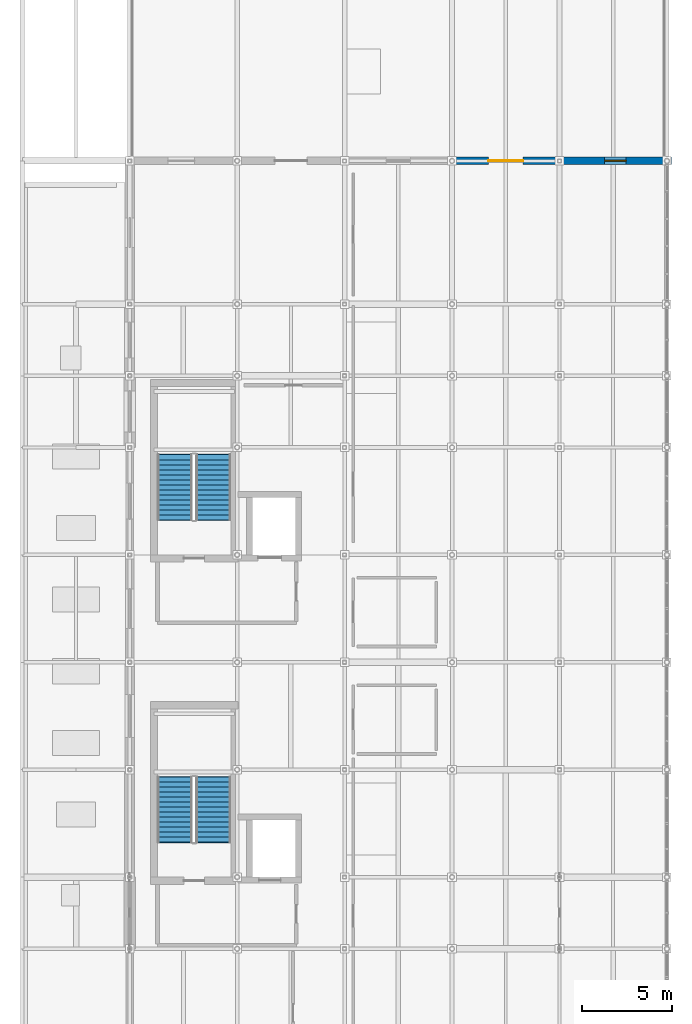
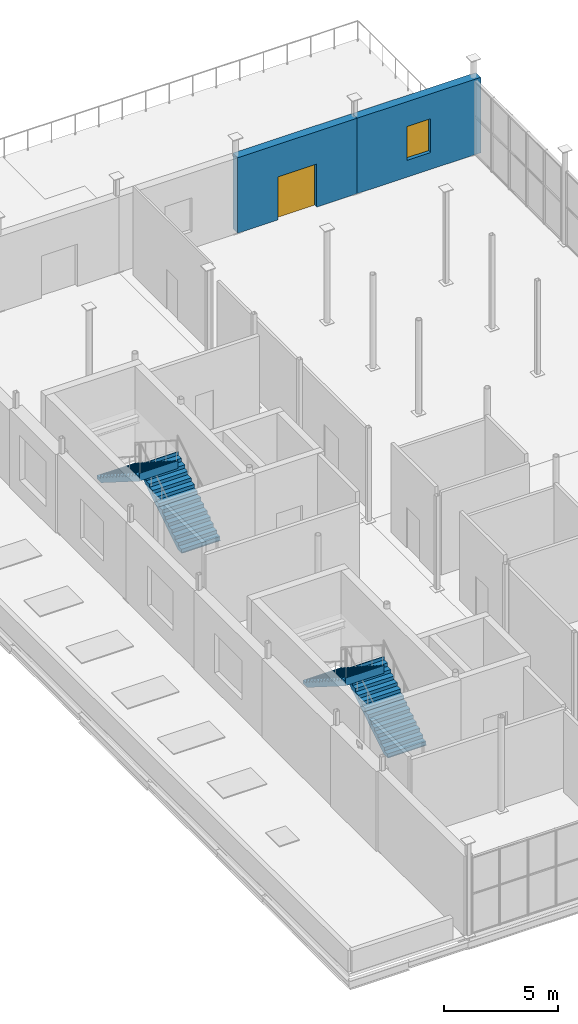
# One storey, part 25 of 27: 4 stair flights, 2 walls, 1 door, 1 window, 2 openings, 2 elements without a shape of their own.
"""IFC4 building model written with IfcOpenShell, lengths in metres."""

from ifc_helpers import new_model, si_unit, direction, frame, frame_2d, origin, place, context, subcontext, project, spatial, polyline, rectangle, outline, extrude, material, layer, layer_set, type_object, element, fill, aggregate, save


model = new_model("IFC4")

# Units and contexts
model_context = context("Model", 3, precision=1e-05, world=origin(), true_north=direction((0.0, 1.0)))
body_context = subcontext(model_context, "Body", "Model", "MODEL_VIEW")
ifc_project = project(units=[si_unit("LENGTHUNIT", "METRE"), si_unit("AREAUNIT", "SQUARE_METRE"), si_unit("VOLUMEUNIT", "CUBIC_METRE"), si_unit("PLANEANGLEUNIT", "RADIAN"), si_unit("MASSUNIT", "GRAM", prefix="KILO")], contexts=[model_context])

# Site, building, storey
site_placement = place(None, origin())
site = spatial("IfcSite", under=ifc_project, at=site_placement, CompositionType="ELEMENT")
building_placement = place(site_placement, origin())
building = spatial("IfcBuilding", under=site, at=building_placement, Name="Verrall Gate Interchange", CompositionType="ELEMENT")
storey_placement = place(building_placement, frame((0.0, 0.0, 23.60009765625)))
storey = spatial("IfcBuildingStorey", under=building, at=storey_placement, Name="L06", CompositionType="ELEMENT", Elevation=23.60009765625)

# Wall, opening, window
ifc_material_1 = material(Name="Tyndall Dolomitic Limestone Ashlar Cavity Assembly (U=0.18)", Category="masonry")
ifc_layer = layer(ifc_material_1, 0.419921875)
ifc_layer_set = layer_set([ifc_layer], Name="Tyndall Dolomitic Limestone Ashlar Cavity Assembly (U=0.18)")
wall_type = type_object("IfcWallType", Name="EW-01 Exterior Solid Wall 420", PredefinedType="SOLIDWALL", material=ifc_layer_set)
wall_1_placement = place(storey_placement, frame((36.25, 56.0, 0.0), z_axis=(0.0, 0.0, 1.0), x_axis=(-1.0, 0.0, 0.0)))
wall_1 = element("IfcWall", 1, at=wall_1_placement, inside=storey, type_object=wall_type, Name="L06 Classical Limestone Facade Wall 140", PredefinedType="SOLIDWALL", context=body_context, shape_type="SweptSolid", body=[
    extrude(rectangle(XDim=6.258056640625, YDim=0.419921875, at=frame_2d((3.12890625, 0.0))), origin(), (0.0, 0.0, 1.0), 4.02685546875),
])
opening_1_placement = place(wall_1_placement, frame((2.529052734375, 0.0, 0.89990234375)))
opening_1 = element("IfcOpeningElement", 2, at=opening_1_placement, cuts=wall_1, Name="Opening WN-01", PredefinedType="OPENING", context=body_context, shape_type="SweptSolid", body=[
    extrude(rectangle(XDim=1.199951171875, YDim=1.800048828125, at=frame_2d((0.60009765625, 0.89990234375))), frame((0.0, 0.224853515625, 0.0), z_axis=(0.0, -1.0, 0.0), x_axis=(1.0, 0.0, 0.0)), (0.0, 0.0, 1.0), 0.44970703125),
])
ifc_material_2 = material(Name="Triple-Glazed Low-E Argon Bronze-Clad Window Unit (U=1.40)", Category="glass")
window_type = type_object("IfcWindowType", Name="WN-01 Classical Deep-Reveal Window 1200x1800", PartitioningType="SINGLE_PANEL", PredefinedType="WINDOW", material=ifc_material_2)
window_placement = place(opening_1_placement, origin())
window = element("IfcWindow", 3, at=window_placement, inside=storey, type_object=window_type, Name="L06 Classical Window 076 (WN-01)", OverallHeight=1.800048828125, OverallWidth=1.199951171875, PartitioningType="SINGLE_PANEL", PredefinedType="WINDOW", context=body_context, shape_type="SweptSolid", body=[
    extrude(rectangle(XDim=1.199951171875, YDim=1.800048828125, at=frame_2d((0.60009765625, 0.89990234375))), frame((0.0, 0.030029296875, 0.0), z_axis=(0.0, -1.0, 0.0), x_axis=(1.0, 0.0, 0.0)), (0.0, 0.0, 1.0), 0.06005859375),
])
fill(opening_1, window)

# Wall, opening, door
wall_2_placement = place(storey_placement, frame((30.008056640625, 56.0, 0.0), z_axis=(0.0, 0.0, 1.0), x_axis=(-1.0, 0.0, 0.0)))
wall_2 = element("IfcWall", 4, at=wall_2_placement, inside=storey, type_object=wall_type, Name="L06 Classical Limestone Facade Wall 141", PredefinedType="SOLIDWALL", context=body_context, shape_type="SweptSolid", body=[
    extrude(rectangle(XDim=6.01611328125, YDim=0.419921875, at=frame_2d((3.008056640625, 0.0))), origin(), (0.0, 0.0, 1.0), 4.02685546875),
])
opening_2_placement = place(wall_2_placement, frame((2.032958984375, 0.0, 0.0)))
opening_2 = element("IfcOpeningElement", 5, at=opening_2_placement, cuts=wall_2, Name="Opening E50", PredefinedType="OPENING", context=body_context, shape_type="SweptSolid", body=[
    extrude(rectangle(XDim=1.949951171875, YDim=2.300048828125, at=frame_2d((0.97509765625, 1.14990234375))), frame((0.0, 0.224853515625, 0.0), z_axis=(0.0, -1.0, 0.0), x_axis=(1.0, 0.0, 0.0)), (0.0, 0.0, 1.0), 0.44970703125),
])
ifc_material_3 = material(Name="Thermally Broken Bronze-Anodized Aluminium Entrance Assembly", Category="aluminium")
door_type = type_object("IfcDoorType", Name="GD-02 Exterior Entrance Door 1950x2300", OperationType="NOTDEFINED", PredefinedType="DOOR", material=ifc_material_3)
door_placement = place(opening_2_placement, origin())
door = element("IfcDoor", 6, at=door_placement, inside=storey, type_object=door_type, Name="L06 Roof Garden Terrace Door E50", OperationType="DOUBLE_DOOR_SINGLE_SWING", OverallHeight=2.300048828125, OverallWidth=1.949951171875, PredefinedType="DOOR", context=body_context, shape_type="SweptSolid", body=[
    extrude(rectangle(XDim=1.949951171875, YDim=2.300048828125, at=frame_2d((0.97509765625, 1.14990234375))), frame((0.0, 0.02490234375, 0.0), z_axis=(0.0, -1.0, 0.0), x_axis=(1.0, 0.0, 0.0)), (0.0, 0.0, 1.0), 0.050048828125),
])
fill(opening_2, door)

# Stair, stair flights
ifc_material_4 = material(Name="Concrete CSA A23.1 40 MPa (Class N)", Category="concrete")
stair_type = type_object("IfcStairType", Name="ST-T06 Straight-Flight Return Exit Stair W1950 H5000", PredefinedType="STRAIGHT_RUN_STAIR", material=ifc_material_4)
stair_1_placement = place(storey_placement, origin())
stair_1 = element("IfcStair", 7, at=stair_1_placement, inside=storey, type_object=stair_type, Name="L06 ST-01", PredefinedType="STRAIGHT_RUN_STAIR")
ifc_material_5 = material(Name="Concrete CSA A23.1 40 MPa (Class N)", Category="concrete")
stair_flight_type = type_object("IfcStairFlightType", Name="SF-T06 Concrete Stair Flight W1950 R179 N28", PredefinedType="STRAIGHT", material=ifc_material_5)
stair_flight_1_placement = place(storey_placement, frame((10.675048828125, 17.949951171875, 0.0), z_axis=(0.0, 0.0, 1.0), x_axis=(0.0, 1.0, 0.0)))
stair_flight_1 = element("IfcStairFlight", 8, at=stair_flight_1_placement, type_object=stair_flight_type, Name="ST-01 flight 1", NumberOfRisers=14, NumberOfTreads=13, PredefinedType="STRAIGHT", RiserHeight=0.178571429, TreadLength=0.28, context=body_context, shape_type="SweptSolid", body=[
    extrude(outline(polyline([(-0.034912109375, -0.02001953125), (-0.034912109375, 0.0), (0.0, 0.0), (0.0, 0.178466796875), (0.280029296875, 0.178466796875), (0.280029296875, 0.357177734375), (0.56005859375, 0.357177734375), (0.56005859375, 0.53564453125), (0.840087890625, 0.53564453125), (0.840087890625, 0.71435546875), (1.1201171875, 0.71435546875), (1.1201171875, 0.892822265625), (1.39990234375, 0.892822265625), (1.39990234375, 1.071533203125), (1.679931640625, 1.071533203125), (1.679931640625, 1.25), (1.9599609375, 1.25), (1.9599609375, 1.428466796875), (2.239990234375, 1.428466796875), (2.239990234375, 1.607177734375), (2.52001953125, 1.607177734375), (2.52001953125, 1.78564453125), (2.800048828125, 1.78564453125), (2.800048828125, 1.96435546875), (3.080078125, 1.96435546875), (3.080078125, 2.142822265625), (3.360107421875, 2.142822265625), (3.360107421875, 2.321533203125), (3.639892578125, 2.321533203125), (3.639892578125, 2.5), (3.675048828125, 2.5), (3.675048828125, 2.084228515625), (0.340576171875, -0.02001953125), (-0.034912109375, -0.02001953125)])), frame((0.0, 0.97509765625, 0.0), z_axis=(0.0, -1.0, 0.0), x_axis=(1.0, 0.0, 0.0)), (0.0, 0.0, 1.0), 1.949951171875),
])
stair_flight_2_placement = place(storey_placement, frame((8.52490234375, 21.590087890625, 2.5), z_axis=(0.0, 0.0, 1.0), x_axis=(0.0, -1.0, 0.0)))
stair_flight_2 = element("IfcStairFlight", 9, at=stair_flight_2_placement, type_object=stair_flight_type, Name="ST-01 flight 2", NumberOfRisers=14, NumberOfTreads=13, PredefinedType="STRAIGHT", RiserHeight=0.178571429, TreadLength=0.28, context=body_context, shape_type="SweptSolid", body=[
    extrude(outline(polyline([(-0.034912109375, -0.02001953125), (-0.034912109375, 0.0), (0.0, 0.0), (0.0, 0.178466796875), (0.280029296875, 0.178466796875), (0.280029296875, 0.357177734375), (0.56005859375, 0.357177734375), (0.56005859375, 0.53564453125), (0.840087890625, 0.53564453125), (0.840087890625, 0.71435546875), (1.1201171875, 0.71435546875), (1.1201171875, 0.892822265625), (1.39990234375, 0.892822265625), (1.39990234375, 1.071533203125), (1.679931640625, 1.071533203125), (1.679931640625, 1.25), (1.9599609375, 1.25), (1.9599609375, 1.428466796875), (2.239990234375, 1.428466796875), (2.239990234375, 1.607177734375), (2.52001953125, 1.607177734375), (2.52001953125, 1.78564453125), (2.800048828125, 1.78564453125), (2.800048828125, 1.96435546875), (3.080078125, 1.96435546875), (3.080078125, 2.142822265625), (3.360107421875, 2.142822265625), (3.360107421875, 2.321533203125), (3.639892578125, 2.321533203125), (3.639892578125, 2.5), (3.675048828125, 2.5), (3.675048828125, 2.084228515625), (0.340576171875, -0.02001953125), (-0.034912109375, -0.02001953125)])), frame((0.0, 0.97509765625, 0.0), z_axis=(0.0, -1.0, 0.0), x_axis=(1.0, 0.0, 0.0)), (0.0, 0.0, 1.0), 1.949951171875),
])
aggregate(stair_1, [stair_flight_1, stair_flight_2])

stair_2_placement = place(storey_placement, origin())
stair_2 = element("IfcStair", 10, at=stair_2_placement, inside=storey, type_object=stair_type, Name="L06 ST-02", PredefinedType="STRAIGHT_RUN_STAIR")
stair_flight_3_placement = place(storey_placement, frame((10.675048828125, 35.949951171875, 0.0), z_axis=(0.0, 0.0, 1.0), x_axis=(0.0, 1.0, 0.0)))
stair_flight_3 = element("IfcStairFlight", 11, at=stair_flight_3_placement, type_object=stair_flight_type, Name="ST-02 flight 1", NumberOfRisers=14, NumberOfTreads=13, PredefinedType="STRAIGHT", RiserHeight=0.178571429, TreadLength=0.28, context=body_context, shape_type="SweptSolid", body=[
    extrude(outline(polyline([(-0.034912109375, -0.02001953125), (-0.034912109375, 0.0), (0.0, 0.0), (0.0, 0.178466796875), (0.280029296875, 0.178466796875), (0.280029296875, 0.357177734375), (0.56005859375, 0.357177734375), (0.56005859375, 0.53564453125), (0.840087890625, 0.53564453125), (0.840087890625, 0.71435546875), (1.1201171875, 0.71435546875), (1.1201171875, 0.892822265625), (1.39990234375, 0.892822265625), (1.39990234375, 1.071533203125), (1.679931640625, 1.071533203125), (1.679931640625, 1.25), (1.9599609375, 1.25), (1.9599609375, 1.428466796875), (2.239990234375, 1.428466796875), (2.239990234375, 1.607177734375), (2.52001953125, 1.607177734375), (2.52001953125, 1.78564453125), (2.800048828125, 1.78564453125), (2.800048828125, 1.96435546875), (3.080078125, 1.96435546875), (3.080078125, 2.142822265625), (3.360107421875, 2.142822265625), (3.360107421875, 2.321533203125), (3.639892578125, 2.321533203125), (3.639892578125, 2.5), (3.675048828125, 2.5), (3.675048828125, 2.084228515625), (0.340576171875, -0.02001953125), (-0.034912109375, -0.02001953125)])), frame((0.0, 0.97509765625, 0.0), z_axis=(0.0, -1.0, 0.0), x_axis=(1.0, 0.0, 0.0)), (0.0, 0.0, 1.0), 1.949951171875),
])
stair_flight_4_placement = place(storey_placement, frame((8.52490234375, 39.590087890625, 2.5), z_axis=(0.0, 0.0, 1.0), x_axis=(0.0, -1.0, 0.0)))
stair_flight_4 = element("IfcStairFlight", 12, at=stair_flight_4_placement, type_object=stair_flight_type, Name="ST-02 flight 2", NumberOfRisers=14, NumberOfTreads=13, PredefinedType="STRAIGHT", RiserHeight=0.178571429, TreadLength=0.28, context=body_context, shape_type="SweptSolid", body=[
    extrude(outline(polyline([(-0.034912109375, -0.02001953125), (-0.034912109375, 0.0), (0.0, 0.0), (0.0, 0.178466796875), (0.280029296875, 0.178466796875), (0.280029296875, 0.357177734375), (0.56005859375, 0.357177734375), (0.56005859375, 0.53564453125), (0.840087890625, 0.53564453125), (0.840087890625, 0.71435546875), (1.1201171875, 0.71435546875), (1.1201171875, 0.892822265625), (1.39990234375, 0.892822265625), (1.39990234375, 1.071533203125), (1.679931640625, 1.071533203125), (1.679931640625, 1.25), (1.9599609375, 1.25), (1.9599609375, 1.428466796875), (2.239990234375, 1.428466796875), (2.239990234375, 1.607177734375), (2.52001953125, 1.607177734375), (2.52001953125, 1.78564453125), (2.800048828125, 1.78564453125), (2.800048828125, 1.96435546875), (3.080078125, 1.96435546875), (3.080078125, 2.142822265625), (3.360107421875, 2.142822265625), (3.360107421875, 2.321533203125), (3.639892578125, 2.321533203125), (3.639892578125, 2.5), (3.675048828125, 2.5), (3.675048828125, 2.084228515625), (0.340576171875, -0.02001953125), (-0.034912109375, -0.02001953125)])), frame((0.0, 0.97509765625, 0.0), z_axis=(0.0, -1.0, 0.0), x_axis=(1.0, 0.0, 0.0)), (0.0, 0.0, 1.0), 1.949951171875),
])
aggregate(stair_2, [stair_flight_3, stair_flight_4])

save(model, "model.ifc")
